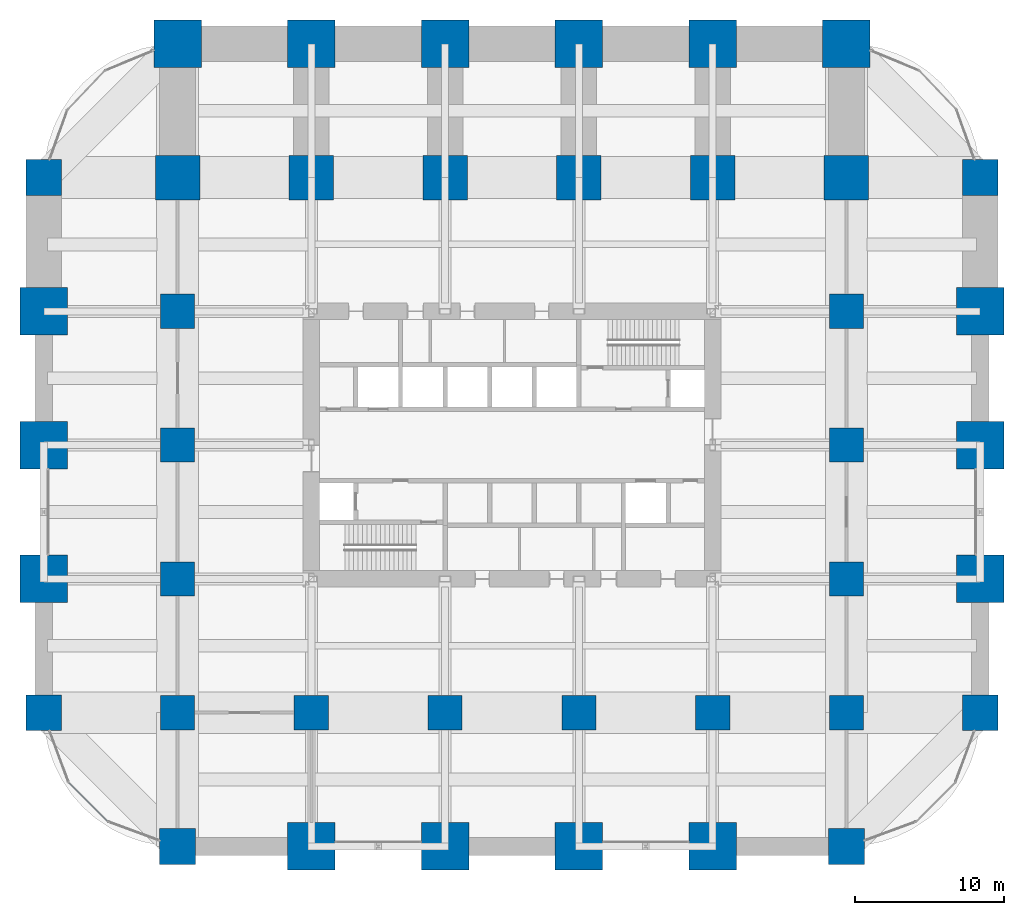
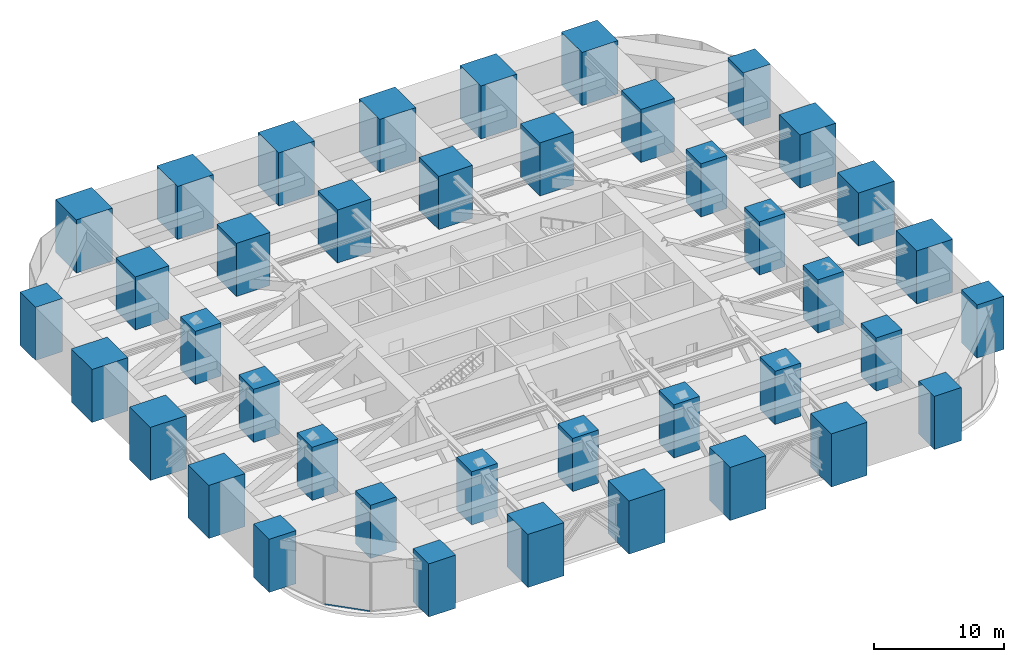
# One storey, part 1 of 35: 40 columns, 1 member, 1 element without a shape of its own.
"""IFC4 building model written with IfcOpenShell, lengths in metres."""

from ifc_helpers import new_model, si_unit, direction, frame, origin, origin_2d, place, context, subcontext, project, spatial, rectangle, hollow_rectangle, extrude, material, material_profile, profile_set, type_object, element, aggregate, save


model = new_model("IFC4")

# Units and contexts
model_context = context("Model", 3, precision=1e-05, world=origin(), true_north=direction((0.0, 1.0)))
body_context = subcontext(model_context, "Body", "Model", "MODEL_VIEW")
ifc_project = project(units=[si_unit("LENGTHUNIT", "METRE"), si_unit("AREAUNIT", "SQUARE_METRE"), si_unit("VOLUMEUNIT", "CUBIC_METRE"), si_unit("PLANEANGLEUNIT", "RADIAN"), si_unit("MASSUNIT", "GRAM", prefix="KILO")], contexts=[model_context])

# Site, building, storey
site_placement = place(None, origin())
site = spatial("IfcSite", under=ifc_project, at=site_placement, CompositionType="ELEMENT")
building_placement = place(site_placement, origin())
building = spatial("IfcBuilding", under=site, at=building_placement, Name="Zorevar Civic Tower", CompositionType="ELEMENT")
storey_placement = place(building_placement, frame((0.0, 0.0, 80.0)))
storey = spatial("IfcBuildingStorey", under=building, at=storey_placement, Name="L19", CompositionType="ELEMENT", Elevation=80.0)

# Columns
ifc_material_1 = material(Name="Concrete C50/60", Category="concrete")
ifc_material_profile_1 = material_profile(ifc_material_1, rectangle(XDim=2.300048828125, YDim=2.300048828125, at=origin_2d()), Name="RC 2300x2300")
ifc_profile_set_1 = profile_set([ifc_material_profile_1], Name="Concrete C50/60")
column_type_1 = type_object("IfcColumnType", Name="Column RC 2300x2300", PredefinedType="COLUMN", material=ifc_profile_set_1)
for number, where, z_axis, x_axis, name in (
    (1, (9.0, 9.0, 0.0), (0.0, 0.0, 1.0), (1.0, 0.0, 0.0), "Column 3B L19"),
    (2, (9.0, 18.0, 0.0), (0.0, 0.0, 1.0), (1.0, 0.0, 0.0), "Column 3C L19"),
    (3, (9.0, 27.0, 0.0), (0.0, 0.0, 1.0), (1.0, 0.0, 0.0), "Column 3D L19"),
    (4, (9.0, 36.0, 0.0), (0.0, 0.0, 1.0), (1.0, 0.0, 0.0), "Column 3E L19"),
    (5, (18.0, 9.0, 0.0), (0.0, 0.0, 1.0), (1.0, 0.0, 0.0), "Column 4B L19"),
    (6, (27.0, 9.0, 0.0), (0.0, 0.0, 1.0), (1.0, 0.0, 0.0), "Column 5B L19"),
    (7, (36.0, 9.0, 0.0), (0.0, 0.0, 1.0), (1.0, 0.0, 0.0), "Column 6B L19"),
    (8, (45.0, 9.0, 0.0), (0.0, 0.0, 1.0), (1.0, 0.0, 0.0), "Column 7B L19"),
    (9, (54.0, 9.0, 0.0), (0.0, 0.0, 1.0), (1.0, 0.0, 0.0), "Column 8B L19"),
    (10, (54.0, 18.0, 0.0), (0.0, 0.0, 1.0), (1.0, 0.0, 0.0), "Column 8C L19"),
    (11, (54.0, 27.0, 0.0), (0.0, 0.0, 1.0), (1.0, 0.0, 0.0), "Column 8D L19"),
    (12, (54.0, 36.0, 0.0), (0.0, 0.0, 1.0), (1.0, 0.0, 0.0), "Column 8E L19"),
):
    element("IfcColumn", number, at=place(storey_placement, frame(where, z_axis=z_axis, x_axis=x_axis)), inside=storey, type_object=column_type_1, Name=name, PredefinedType="COLUMN", context=body_context, shape_type="SweptSolid", body=[
        extrude(rectangle(XDim=2.300048828125, YDim=2.300048828125, at=origin_2d()), origin(), (0.0, 0.0, 1.0), 5.0),
    ])
ifc_material_2 = material(Name="Concrete C50/60", Category="concrete")
ifc_material_profile_2 = material_profile(ifc_material_2, rectangle(XDim=2.39990234375, YDim=2.39990234375, at=origin_2d()), Name="RC 2400x2400")
ifc_profile_set_2 = profile_set([ifc_material_profile_2], Name="Concrete C50/60")
column_type_2 = type_object("IfcColumnType", Name="Column RC 2400x2400", PredefinedType="COLUMN", material=ifc_profile_set_2)
for number, where, z_axis, x_axis, name in (
    (13, (0.0, 9.0, 0.0), (0.0, 0.0, 1.0), (1.0, 0.0, 0.0), "Column 2B L19"),
    (14, (0.0, 45.0, 0.0), (0.0, 0.0, 1.0), (1.0, 0.0, 0.0), "Column 2F L19"),
    (15, (9.0, 0.0, 0.0), (0.0, 0.0, 1.0), (1.0, 0.0, 0.0), "Column 3A L19"),
    (16, (54.0, 0.0, 0.0), (0.0, 0.0, 1.0), (1.0, 0.0, 0.0), "Column 8A L19"),
    (17, (63.0, 9.0, 0.0), (0.0, 0.0, 1.0), (1.0, 0.0, 0.0), "Column 9B L19"),
    (18, (63.0, 45.0, 0.0), (0.0, 0.0, 1.0), (1.0, 0.0, 0.0), "Column 9F L19"),
):
    element("IfcColumn", number, at=place(storey_placement, frame(where, z_axis=z_axis, x_axis=x_axis)), inside=storey, type_object=column_type_2, Name=name, PredefinedType="COLUMN", context=body_context, shape_type="SweptSolid", body=[
        extrude(rectangle(XDim=2.39990234375, YDim=2.39990234375, at=origin_2d()), origin(), (0.0, 0.0, 1.0), 5.0),
    ])
ifc_material_3 = material(Name="Concrete C50/60", Category="concrete")
ifc_material_profile_3 = material_profile(ifc_material_3, rectangle(XDim=3.0, YDim=3.0, at=origin_2d()), Name="RC 3000x3000")
ifc_profile_set_3 = profile_set([ifc_material_profile_3], Name="Concrete C50/60")
column_type_3 = type_object("IfcColumnType", Name="Column RC 3000x3000", PredefinedType="COLUMN", material=ifc_profile_set_3)
for number, where, z_axis, x_axis, name in (
    (19, (9.0, 45.0, 0.0), (0.0, 0.0, 1.0), (1.0, 0.0, 0.0), "Column 3F L19"),
    (20, (18.0, 45.0, 0.0), (0.0, 0.0, 1.0), (1.0, 0.0, 0.0), "Column 4F L19"),
    (21, (27.0, 45.0, 0.0), (0.0, 0.0, 1.0), (1.0, 0.0, 0.0), "Column 5F L19"),
    (22, (36.0, 45.0, 0.0), (0.0, 0.0, 1.0), (1.0, 0.0, 0.0), "Column 6F L19"),
    (23, (45.0, 45.0, 0.0), (0.0, 0.0, 1.0), (1.0, 0.0, 0.0), "Column 7F L19"),
    (24, (54.0, 45.0, 0.0), (0.0, 0.0, 1.0), (1.0, 0.0, 0.0), "Column 8F L19"),
):
    element("IfcColumn", number, at=place(storey_placement, frame(where, z_axis=z_axis, x_axis=x_axis)), inside=storey, type_object=column_type_3, Name=name, PredefinedType="COLUMN", context=body_context, shape_type="SweptSolid", body=[
        extrude(rectangle(XDim=3.0, YDim=3.0, at=origin_2d()), origin(), (0.0, 0.0, 1.0), 5.0),
    ])
ifc_material_4 = material(Name="Concrete C50/60", Category="concrete")
ifc_material_profile_4 = material_profile(ifc_material_4, rectangle(XDim=3.199951171875, YDim=3.199951171875, at=origin_2d()), Name="RC 3200x3200")
ifc_profile_set_4 = profile_set([ifc_material_profile_4], Name="Concrete C50/60")
column_type_4 = type_object("IfcColumnType", Name="Column RC 3200x3200", PredefinedType="COLUMN", material=ifc_profile_set_4)
for number, where, z_axis, x_axis, name in (
    (25, (9.0, 54.0, 0.0), (0.0, 0.0, 1.0), (1.0, 0.0, 0.0), "Column 3G L19"),
    (26, (54.0, 54.0, 0.0), (0.0, 0.0, 1.0), (1.0, 0.0, 0.0), "Column 8G L19"),
):
    element("IfcColumn", number, at=place(storey_placement, frame(where, z_axis=z_axis, x_axis=x_axis)), inside=storey, type_object=column_type_4, Name=name, PredefinedType="COLUMN", context=body_context, shape_type="SweptSolid", body=[
        extrude(rectangle(XDim=3.199951171875, YDim=3.199951171875, at=origin_2d()), origin(), (0.0, 0.0, 1.0), 5.0),
    ])
ifc_material_5 = material(Name="Concrete C50/60", Category="concrete")
ifc_material_profile_5 = material_profile(ifc_material_5, rectangle(XDim=3.199951171875, YDim=3.199951171875, at=origin_2d()), Name="RC 3200x3200")
ifc_profile_set_5 = profile_set([ifc_material_profile_5], Name="Concrete C50/60")
column_type_5 = type_object("IfcColumnType", Name="Mega column RC 3200x3200", PredefinedType="COLUMN", material=ifc_profile_set_5)
for number, where, z_axis, x_axis, name in (
    (27, (0.0, 18.0, 0.0), (0.0, 0.0, 1.0), (1.0, 0.0, 0.0), "Column 2C L19"),
    (28, (0.0, 27.0, 0.0), (0.0, 0.0, 1.0), (1.0, 0.0, 0.0), "Column 2D L19"),
    (29, (0.0, 36.0, 0.0), (0.0, 0.0, 1.0), (1.0, 0.0, 0.0), "Column 2E L19"),
    (30, (18.0, 0.0, 0.0), (0.0, 0.0, 1.0), (1.0, 0.0, 0.0), "Column 4A L19"),
    (31, (18.0, 54.0, 0.0), (0.0, 0.0, 1.0), (1.0, 0.0, 0.0), "Column 4G L19"),
    (32, (27.0, 0.0, 0.0), (0.0, 0.0, 1.0), (1.0, 0.0, 0.0), "Column 5A L19"),
    (33, (27.0, 54.0, 0.0), (0.0, 0.0, 1.0), (1.0, 0.0, 0.0), "Column 5G L19"),
    (34, (36.0, 0.0, 0.0), (0.0, 0.0, 1.0), (1.0, 0.0, 0.0), "Column 6A L19"),
    (35, (36.0, 54.0, 0.0), (0.0, 0.0, 1.0), (1.0, 0.0, 0.0), "Column 6G L19"),
    (36, (45.0, 0.0, 0.0), (0.0, 0.0, 1.0), (1.0, 0.0, 0.0), "Column 7A L19"),
    (37, (45.0, 54.0, 0.0), (0.0, 0.0, 1.0), (1.0, 0.0, 0.0), "Column 7G L19"),
    (38, (63.0, 18.0, 0.0), (0.0, 0.0, 1.0), (1.0, 0.0, 0.0), "Column 9C L19"),
    (39, (63.0, 27.0, 0.0), (0.0, 0.0, 1.0), (1.0, 0.0, 0.0), "Column 9D L19"),
    (40, (63.0, 36.0, 0.0), (0.0, 0.0, 1.0), (1.0, 0.0, 0.0), "Column 9E L19"),
):
    element("IfcColumn", number, at=place(storey_placement, frame(where, z_axis=z_axis, x_axis=x_axis)), inside=storey, type_object=column_type_5, Name=name, PredefinedType="COLUMN", context=body_context, shape_type="SweptSolid", body=[
        extrude(rectangle(XDim=3.199951171875, YDim=3.199951171875, at=origin_2d()), origin(), (0.0, 0.0, 1.0), 5.0),
    ])

# Curtain wall, member
ifc_material_6 = material(Name="Black aluminium louvres", Category="aluminium")
curtain_wall_type = type_object("IfcCurtainWallType", Name="Louvred curtain wall CW6 refuge", PredefinedType="NOTDEFINED", material=ifc_material_6)
curtain_wall_placement = place(storey_placement, origin())
curtain_wall = element("IfcCurtainWall", 41, at=curtain_wall_placement, inside=storey, type_object=curtain_wall_type, Name="CW6 L19", PredefinedType="NOTDEFINED")
ifc_material_7 = material(Name="Aluminium, black anodised", Category="aluminium")
ifc_material_profile_6 = material_profile(ifc_material_7, hollow_rectangle(XDim=0.06005859375, YDim=0.14990234375, WallThickness=0.00390625, at=origin_2d()), Name="AL 150x60x4")
ifc_profile_set_6 = profile_set([ifc_material_profile_6], Name="Aluminium, black anodised")
member_type = type_object("IfcMemberType", Name="CW6 transom AL 150x60x4", PredefinedType="USERDEFINED", material=ifc_profile_set_6)
member_placement = place(storey_placement, frame((1.716552734375, 4.264892578125, 0.030029296875), z_axis=(0.707106781187, -0.707106781187, 0.0), x_axis=(0.707106781187, 0.707106781187, 0.0)))
member = element("IfcMember", 42, at=member_placement, type_object=member_type, Name="CW6 sill transom", ObjectType="TRANSOM", PredefinedType="USERDEFINED", context=body_context, shape_type="SweptSolid", body=[
    extrude(hollow_rectangle(XDim=0.06005859375, YDim=0.14990234375, WallThickness=0.00390625, at=origin_2d()), origin(), (0.0, 0.0, 1.0), 3.60400390625),
])
aggregate(curtain_wall, [member])

save(model, "model.ifc")
